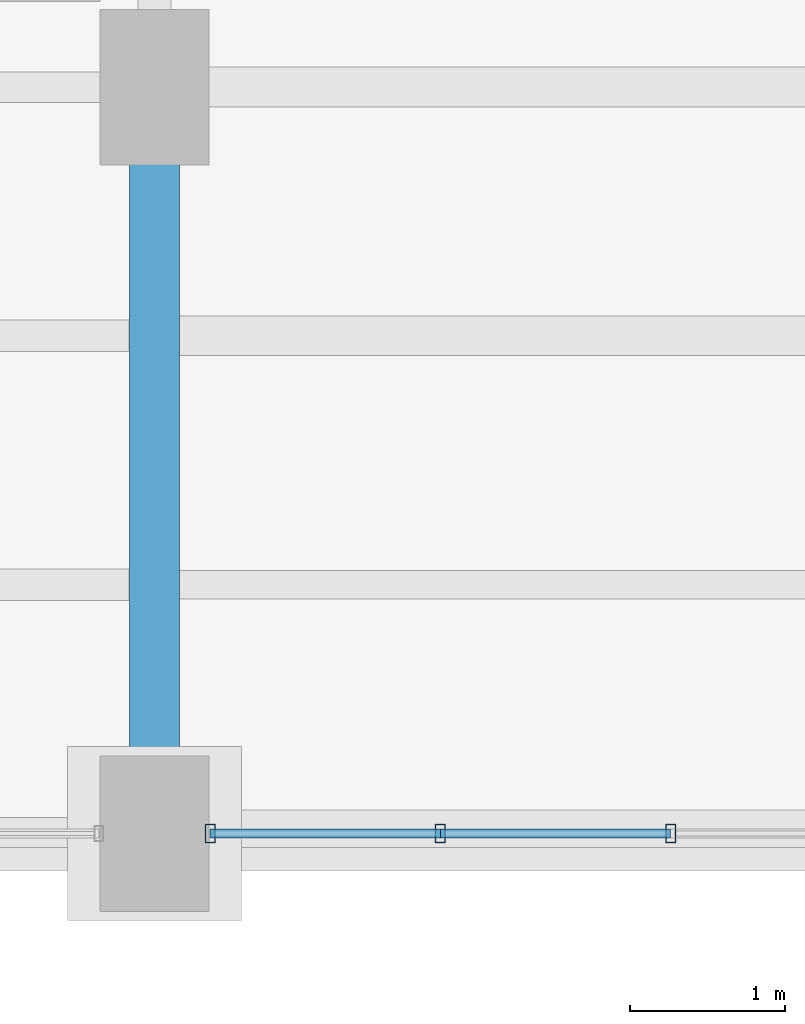
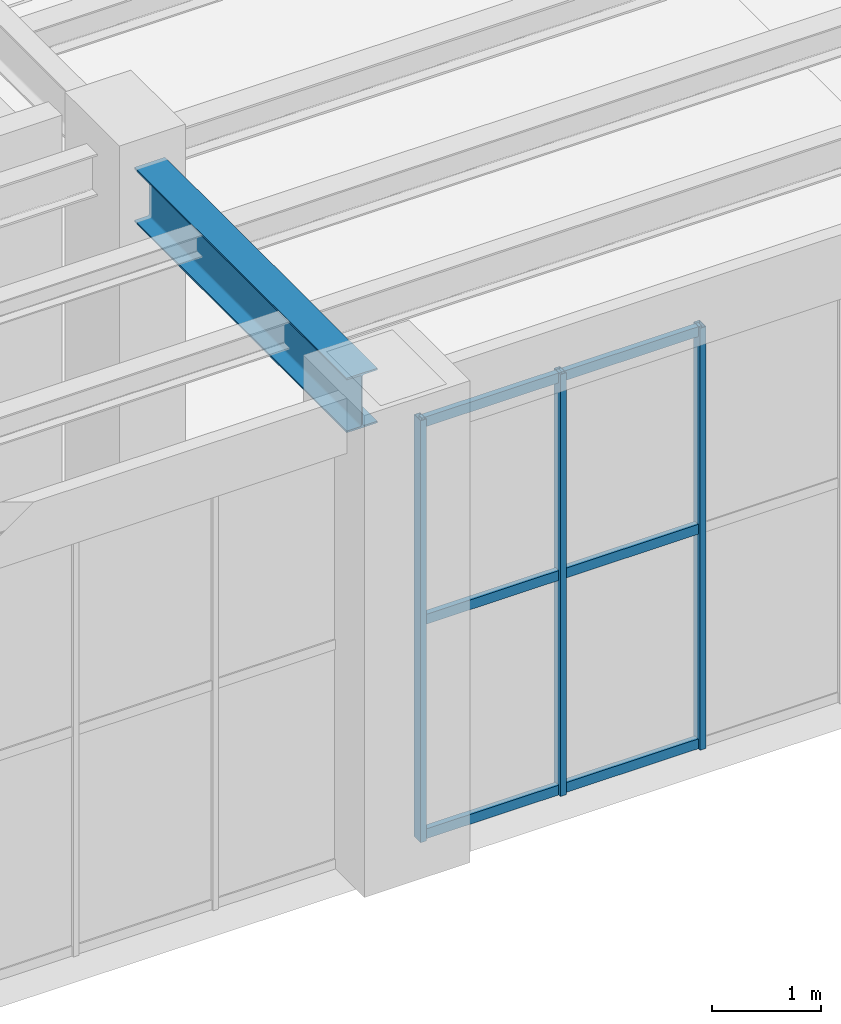
# One storey, part 102 of 164: 9 members, 1 beam, 1 element without a shape of its own.
"""IFC4 building model written with IfcOpenShell, lengths in metres."""

from ifc_helpers import new_model, si_unit, direction, frame, origin, origin_2d, place, context, subcontext, project, spatial, hollow_rectangle, i_section, extrude, material, material_profile, profile_set, type_object, element, aggregate, save


model = new_model("IFC4")

# Units and contexts
model_context = context("Model", 3, precision=1e-05, world=origin(), true_north=direction((0.0, 1.0)))
body_context = subcontext(model_context, "Body", "Model", "MODEL_VIEW")
ifc_project = project(units=[si_unit("LENGTHUNIT", "METRE"), si_unit("AREAUNIT", "SQUARE_METRE"), si_unit("VOLUMEUNIT", "CUBIC_METRE"), si_unit("PLANEANGLEUNIT", "RADIAN"), si_unit("MASSUNIT", "GRAM", prefix="KILO")], contexts=[model_context])

# Site, building, storey
site_placement = place(None, origin())
site = spatial("IfcSite", under=ifc_project, at=site_placement, CompositionType="ELEMENT")
building_placement = place(site_placement, origin())
building = spatial("IfcBuilding", under=site, at=building_placement, Name="Mavantir Sound Aquarium", CompositionType="ELEMENT")
storey_placement = place(building_placement, origin())
storey = spatial("IfcBuildingStorey", under=building, at=storey_placement, Name="L00", CompositionType="ELEMENT", Elevation=0.0)

# Beam
ifc_material_1 = material(Name="Structural Steel ASTM A992 Gr50", Category="steel")
ifc_material_profile_1 = material_profile(ifc_material_1, i_section(OverallWidth=0.323974609375, OverallDepth=0.611083984375, WebThickness=0.0126953125, FlangeThickness=0.01904296875, FilletRadius=0.01904296875, at=origin_2d()), Name="W610X155")
ifc_profile_set_1 = profile_set([ifc_material_profile_1], Name="Structural Steel ASTM A992 Gr50")
beam_type = type_object("IfcBeamType", Name="BM-W610X155-I", PredefinedType="BEAM", material=ifc_profile_set_1)
beam_placement = place(storey_placement, frame((156.0, 36.449951171875, 4.760498046875), z_axis=(0.0, 1.0, 0.0), x_axis=(-1.0, 0.0, 0.0)))
element("IfcBeam", 1, at=beam_placement, inside=storey, type_object=beam_type, Name="L00 primary girder SB-61A 1012", PredefinedType="BEAM", context=body_context, shape_type="SweptSolid", body=[
    extrude(i_section(OverallWidth=0.323974609375, OverallDepth=0.611083984375, WebThickness=0.0126953125, FlangeThickness=0.01904296875, FilletRadius=0.01904296875, at=origin_2d()), origin(), (0.0, 0.0, 1.0), 3.900146484375),
])

# Curtain wall, members
ifc_material_2 = material(Name="Anodised Marine Aluminium and Low-E Glass", Category="aluminium")
curtain_wall_type = type_object("IfcCurtainWallType", Name="CW-T24", PredefinedType="USERDEFINED", material=ifc_material_2)
curtain_wall_placement = place(storey_placement, origin())
curtain_wall = element("IfcCurtainWall", 2, at=curtain_wall_placement, inside=storey, type_object=curtain_wall_type, Name="L00 unitised curtain wall CW-24 24", ObjectType="UNITISED GLAZING", PredefinedType="USERDEFINED")
ifc_material_3 = material(Name="Anodised Marine Aluminium 6063-T6", Category="aluminium")
ifc_material_profile_2 = material_profile(ifc_material_3, hollow_rectangle(XDim=0.06494140625, YDim=0.1201171875, WallThickness=0.00390625, at=origin_2d()), Name="ALU-MULLION-120X65")
ifc_profile_set_2 = profile_set([ifc_material_profile_2], Name="Anodised Marine Aluminium 6063-T6")
member_type_1 = type_object("IfcMemberType", Name="CW-MUL-120", PredefinedType="MULLION", material=ifc_profile_set_2)
member_1_placement = place(storey_placement, frame((156.35791015625, 36.0, 0.0), z_axis=(0.0, 0.0, 1.0), x_axis=(1.0, 0.0, 0.0)))
member_1 = element("IfcMember", 3, at=member_1_placement, type_object=member_type_1, Name="CW-L00-024 vertical mullion 1", PredefinedType="MULLION", context=body_context, shape_type="SweptSolid", body=[
    extrude(hollow_rectangle(XDim=0.06494140625, YDim=0.1201171875, WallThickness=0.00390625, at=origin_2d()), origin(), (0.0, 0.0, 1.0), 4.72802734375),
])
member_2_placement = place(storey_placement, frame((157.838623046875, 36.0, 0.0), z_axis=(0.0, 0.0, 1.0), x_axis=(1.0, 0.0, 0.0)))
member_2 = element("IfcMember", 4, at=member_2_placement, type_object=member_type_1, Name="CW-L00-024 vertical mullion 2", PredefinedType="MULLION", context=body_context, shape_type="SweptSolid", body=[
    extrude(hollow_rectangle(XDim=0.06494140625, YDim=0.1201171875, WallThickness=0.00390625, at=origin_2d()), origin(), (0.0, 0.0, 1.0), 4.72802734375),
])
member_3_placement = place(storey_placement, frame((159.3193359375, 36.0, 0.0), z_axis=(0.0, 0.0, 1.0), x_axis=(1.0, 0.0, 0.0)))
member_3 = element("IfcMember", 5, at=member_3_placement, type_object=member_type_1, Name="CW-L00-024 vertical mullion 3", PredefinedType="MULLION", context=body_context, shape_type="SweptSolid", body=[
    extrude(hollow_rectangle(XDim=0.06494140625, YDim=0.1201171875, WallThickness=0.00390625, at=origin_2d()), origin(), (0.0, 0.0, 1.0), 4.72802734375),
])
ifc_material_profile_3 = material_profile(ifc_material_3, hollow_rectangle(XDim=0.06005859375, YDim=0.110107421875, WallThickness=0.00390625, at=origin_2d()), Name="ALU-TRANSOM-110X60")
ifc_profile_set_3 = profile_set([ifc_material_profile_3], Name="Anodised Marine Aluminium 6063-T6")
member_type_2 = type_object("IfcMemberType", Name="CW-TRN-110", PredefinedType="USERDEFINED", material=ifc_profile_set_3)
member_4_placement = place(storey_placement, frame((156.35791015625, 36.0, 0.054931640625), z_axis=(1.0, 0.0, 0.0), x_axis=(0.0, 1.0, 0.0)))
member_4 = element("IfcMember", 6, at=member_4_placement, type_object=member_type_2, Name="CW-L00-024 transom 1.1", ObjectType="TRANSOM", PredefinedType="USERDEFINED", context=body_context, shape_type="SweptSolid", body=[
    extrude(hollow_rectangle(XDim=0.06005859375, YDim=0.110107421875, WallThickness=0.00390625, at=origin_2d()), origin(), (0.0, 0.0, 1.0), 1.480712890625),
])
member_5_placement = place(storey_placement, frame((156.35791015625, 36.0, 2.45849609375), z_axis=(1.0, 0.0, 0.0), x_axis=(0.0, 1.0, 0.0)))
member_5 = element("IfcMember", 7, at=member_5_placement, type_object=member_type_2, Name="CW-L00-024 transom 1.2", ObjectType="TRANSOM", PredefinedType="USERDEFINED", context=body_context, shape_type="SweptSolid", body=[
    extrude(hollow_rectangle(XDim=0.06005859375, YDim=0.110107421875, WallThickness=0.00390625, at=origin_2d()), origin(), (0.0, 0.0, 1.0), 1.480712890625),
])
member_6_placement = place(storey_placement, frame((156.35791015625, 36.0, 4.673095703125), z_axis=(1.0, 0.0, 0.0), x_axis=(0.0, 1.0, 0.0)))
member_6 = element("IfcMember", 8, at=member_6_placement, type_object=member_type_2, Name="CW-L00-024 transom 1.3", ObjectType="TRANSOM", PredefinedType="USERDEFINED", context=body_context, shape_type="SweptSolid", body=[
    extrude(hollow_rectangle(XDim=0.06005859375, YDim=0.110107421875, WallThickness=0.00390625, at=origin_2d()), origin(), (0.0, 0.0, 1.0), 1.480712890625),
])
member_7_placement = place(storey_placement, frame((157.838623046875, 36.0, 0.054931640625), z_axis=(1.0, 0.0, 0.0), x_axis=(0.0, 1.0, 0.0)))
member_7 = element("IfcMember", 9, at=member_7_placement, type_object=member_type_2, Name="CW-L00-024 transom 2.1", ObjectType="TRANSOM", PredefinedType="USERDEFINED", context=body_context, shape_type="SweptSolid", body=[
    extrude(hollow_rectangle(XDim=0.06005859375, YDim=0.110107421875, WallThickness=0.00390625, at=origin_2d()), origin(), (0.0, 0.0, 1.0), 1.480712890625),
])
member_8_placement = place(storey_placement, frame((157.838623046875, 36.0, 2.45849609375), z_axis=(1.0, 0.0, 0.0), x_axis=(0.0, 1.0, 0.0)))
member_8 = element("IfcMember", 10, at=member_8_placement, type_object=member_type_2, Name="CW-L00-024 transom 2.2", ObjectType="TRANSOM", PredefinedType="USERDEFINED", context=body_context, shape_type="SweptSolid", body=[
    extrude(hollow_rectangle(XDim=0.06005859375, YDim=0.110107421875, WallThickness=0.00390625, at=origin_2d()), origin(), (0.0, 0.0, 1.0), 1.480712890625),
])
member_9_placement = place(storey_placement, frame((157.838623046875, 36.0, 4.673095703125), z_axis=(1.0, 0.0, 0.0), x_axis=(0.0, 1.0, 0.0)))
member_9 = element("IfcMember", 11, at=member_9_placement, type_object=member_type_2, Name="CW-L00-024 transom 2.3", ObjectType="TRANSOM", PredefinedType="USERDEFINED", context=body_context, shape_type="SweptSolid", body=[
    extrude(hollow_rectangle(XDim=0.06005859375, YDim=0.110107421875, WallThickness=0.00390625, at=origin_2d()), origin(), (0.0, 0.0, 1.0), 1.480712890625),
])
aggregate(curtain_wall, [member_1, member_2, member_3, member_4, member_5, member_6, member_7, member_8, member_9])

save(model, "model.ifc")
